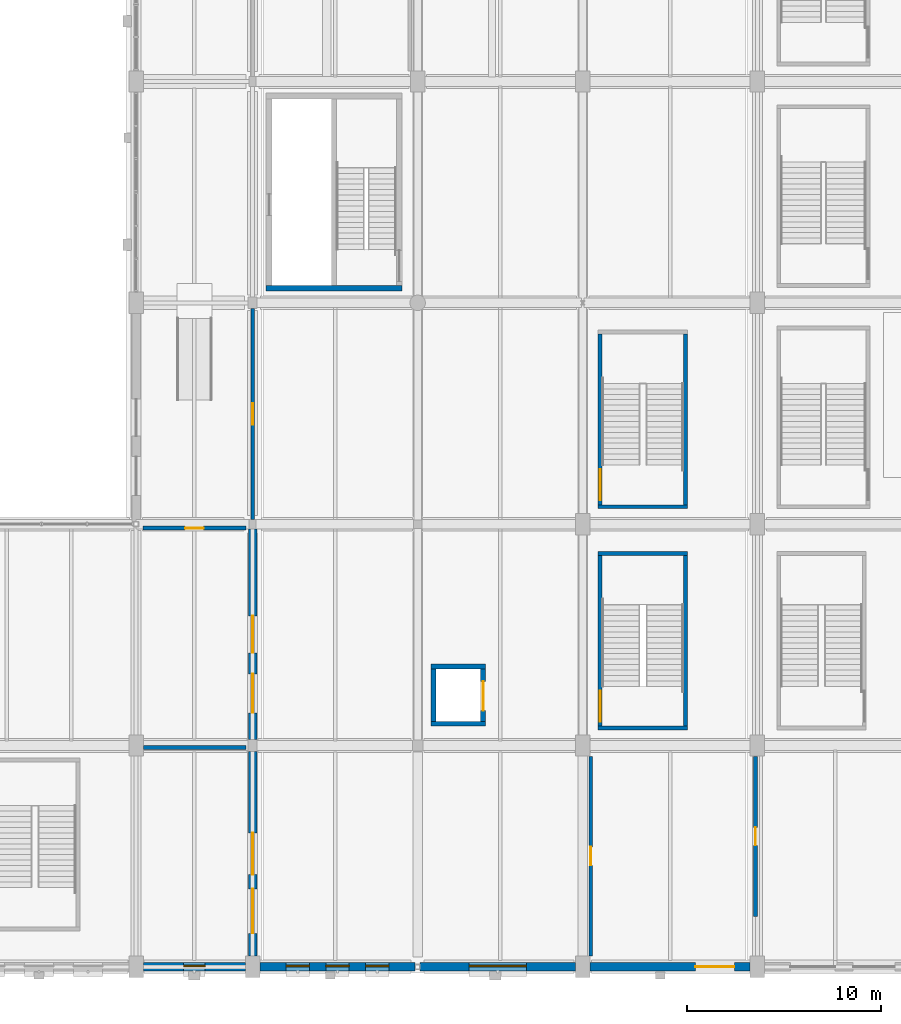
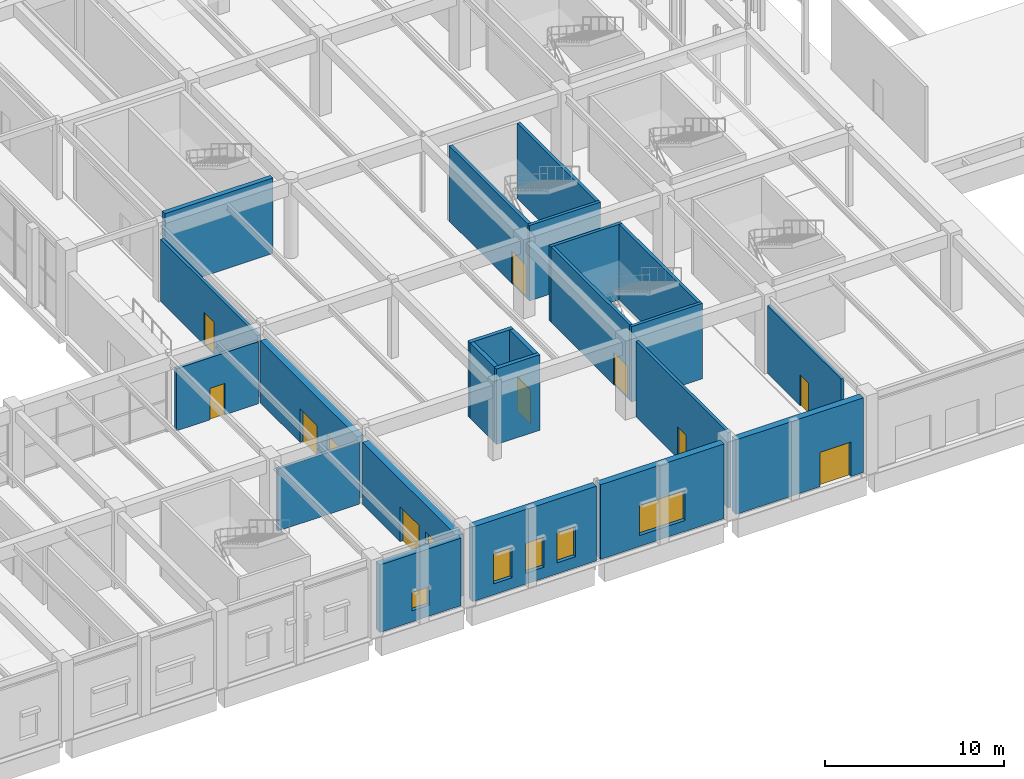
# One storey, part 86 of 113: 23 walls, 12 doors, 5 windows, 17 openings.
"""IFC4 building model written with IfcOpenShell, lengths in metres."""

from ifc_helpers import new_model, si_unit, direction, frame, frame_2d, origin, place, context, subcontext, project, spatial, rectangle, extrude, material, layer, layer_set, type_object, element, fill, save


model = new_model("IFC4")

# Units and contexts
model_context = context("Model", 3, precision=1e-05, world=origin(), true_north=direction((0.0, 1.0)))
body_context = subcontext(model_context, "Body", "Model", "MODEL_VIEW")
ifc_project = project(units=[si_unit("LENGTHUNIT", "METRE"), si_unit("AREAUNIT", "SQUARE_METRE"), si_unit("VOLUMEUNIT", "CUBIC_METRE"), si_unit("PLANEANGLEUNIT", "RADIAN"), si_unit("MASSUNIT", "GRAM", prefix="KILO"), si_unit("POWERUNIT", "WATT"), si_unit("THERMODYNAMICTEMPERATUREUNIT", "KELVIN")], contexts=[model_context])

# Site, building, storey
site_placement = place(None, origin())
site = spatial("IfcSite", under=ifc_project, at=site_placement, CompositionType="ELEMENT")
building_placement = place(site_placement, origin())
building = spatial("IfcBuilding", under=site, at=building_placement, Name="Kelmbourne Parkland Aquatics Centre", CompositionType="ELEMENT")
storey_placement = place(building_placement, origin())
storey = spatial("IfcBuildingStorey", under=building, at=storey_placement, Name="L00", CompositionType="ELEMENT", Elevation=0.0)

# Walls
ifc_material_1 = material(Name="Concrete C40/50", Category="concrete")
ifc_layer_1 = layer(ifc_material_1, 0.25)
ifc_layer_set_1 = layer_set([ifc_layer_1], Name="Concrete C40/50")
wall_type_1 = type_object("IfcWallType", Name="W-CORE-250", PredefinedType="SHEAR", material=ifc_layer_set_1)
for number, where, z_axis, x_axis, name in (
    (1, (111.199951171875, 13.324951171875, 0.0), (0.0, 0.0, 1.0), (1.0, 0.0, 0.0), "Goods lift south wall (L00)"),
    (2, (111.199951171875, 16.27490234375, 0.0), (0.0, 0.0, 1.0), (1.0, 0.0, 0.0), "Goods lift north wall (L00)"),
):
    element("IfcWall", number, at=place(storey_placement, frame(where, z_axis=z_axis, x_axis=x_axis)), inside=storey, type_object=wall_type_1, Name=name, PredefinedType="SHEAR", context=body_context, shape_type="SweptSolid", body=[
        extrude(rectangle(XDim=2.800048828125, YDim=0.25, at=frame_2d((1.39990234375, 0.0))), origin(), (0.0, 0.0, 1.0), 5.159912109375),
    ])
wall_1_placement = place(storey_placement, frame((111.324951171875, 13.449951171875, 0.0), z_axis=(0.0, 0.0, 1.0), x_axis=(0.0, 1.0, 0.0)))
element("IfcWall", 3, at=wall_1_placement, inside=storey, type_object=wall_type_1, Name="Goods lift west wall (L00)", PredefinedType="SHEAR", context=body_context, shape_type="SweptSolid", body=[
    extrude(rectangle(XDim=2.699951171875, YDim=0.25, at=frame_2d((1.35009765625, 0.0))), origin(), (0.0, 0.0, 1.0), 5.159912109375),
])

# Wall, opening, door
wall_2_placement = place(storey_placement, frame((113.875, 13.449951171875, 0.0), z_axis=(0.0, 0.0, 1.0), x_axis=(0.0, 1.0, 0.0)))
wall_2 = element("IfcWall", 4, at=wall_2_placement, inside=storey, type_object=wall_type_1, Name="Goods lift east wall (L00)", PredefinedType="SHEAR", context=body_context, shape_type="SweptSolid", body=[
    extrude(rectangle(XDim=2.699951171875, YDim=0.25, at=frame_2d((1.35009765625, 0.0))), origin(), (0.0, 0.0, 1.0), 5.159912109375),
])
opening_1_placement = place(wall_2_placement, frame((0.550048828125, 0.0, 0.0)))
opening_1 = element("IfcOpeningElement", 5, at=opening_1_placement, cuts=wall_2, Name="Opening LD03", PredefinedType="OPENING", context=body_context, shape_type="SweptSolid", body=[
    extrude(rectangle(XDim=1.5, YDim=2.300048828125, at=frame_2d((0.75, 1.14990234375))), frame((0.0, 0.136962890625, 0.0), z_axis=(0.0, -1.0, 0.0), x_axis=(1.0, 0.0, 0.0)), (0.0, 0.0, 1.0), 0.27392578125),
])
ifc_material_2 = material(Name="Marine-grade stainless steel and fire-rated hardwood doorset", Category="steel")
ifc_layer_2 = layer(ifc_material_2, 0.050048828125)
ifc_layer_set_2 = layer_set([ifc_layer_2], Name="Marine-grade stainless steel and fire-rated hardwood doorset")
door_type_1 = type_object("IfcDoorType", Name="DR-LD-150", OperationType="NOTDEFINED", PredefinedType="DOOR", material=ifc_layer_set_2)
door_1_placement = place(opening_1_placement, origin())
door_1 = element("IfcDoor", 6, at=door_1_placement, inside=storey, type_object=door_type_1, Name="Goods lift landing door LF06 (L00)", OperationType="SLIDING_TO_LEFT", OverallHeight=2.300048828125, OverallWidth=1.5, PredefinedType="DOOR", context=body_context, shape_type="SweptSolid", body=[
    extrude(rectangle(XDim=1.5, YDim=2.300048828125, at=frame_2d((0.75, 1.14990234375))), frame((0.0, 0.02490234375, 0.0), z_axis=(0.0, -1.0, 0.0), x_axis=(1.0, 0.0, 0.0)), (0.0, 0.0, 1.0), 0.050048828125),
])
fill(opening_1, door_1)

# Wall
ifc_layer_3 = layer(ifc_material_1, 0.300048828125)
ifc_layer_set_3 = layer_set([ifc_layer_3], Name="Concrete C40/50")
wall_type_2 = type_object("IfcWallType", Name="W-CORE-300", PredefinedType="SHEAR", material=ifc_layer_set_3)
wall_3_placement = place(storey_placement, frame((102.699951171875, 35.75, 0.0), z_axis=(0.0, 0.0, 1.0), x_axis=(1.0, 0.0, 0.0)))
element("IfcWall", 7, at=wall_3_placement, inside=storey, type_object=wall_type_2, Name="East Spine Club and Village Core south wall (L00)", PredefinedType="SHEAR", context=body_context, shape_type="SweptSolid", body=[
    extrude(rectangle(XDim=7.0, YDim=0.300048828125, at=frame_2d((3.5, 0.0))), origin(), (0.0, 0.0, 1.0), 5.159912109375),
])

# Wall, opening, window
ifc_material_3 = material(Name="Dark manganite base-course brickwork", Category="masonry")
ifc_layer_4 = layer(ifc_material_3, 0.429931640625)
ifc_layer_set_4 = layer_set([ifc_layer_4], Name="Dark manganite base-course brickwork")
wall_type_3 = type_object("IfcWallType", Name="W-EXT-430", PredefinedType="STANDARD", material=ifc_layer_set_4)
wall_4_placement = place(storey_placement, frame((96.376953125, 0.800048828125, 0.0), z_axis=(0.0, 0.0, 1.0), x_axis=(1.0, 0.0, 0.0)))
wall_4 = element("IfcWall", 8, at=wall_4_placement, inside=storey, type_object=wall_type_3, Name="Exterior polychrome brick wall EW-L00-029", PredefinedType="STANDARD", context=body_context, shape_type="SweptSolid", body=[
    extrude(rectangle(XDim=5.24609375, YDim=0.429931640625, at=frame_2d((2.623046875, 0.0))), origin(), (0.0, 0.0, 1.0), 4.612060546875),
])
opening_2_placement = place(wall_4_placement, frame((2.072998046875, 0.0, 0.75)))
opening_2 = element("IfcOpeningElement", 9, at=opening_2_placement, cuts=wall_4, Name="Opening W13", PredefinedType="OPENING", context=body_context, shape_type="SweptSolid", body=[
    extrude(rectangle(XDim=1.10009765625, YDim=1.25, at=frame_2d((0.550048828125, 0.625))), frame((0.0, 0.22705078125, 0.0), z_axis=(0.0, -1.0, 0.0), x_axis=(1.0, 0.0, 0.0)), (0.0, 0.0, 1.0), 0.453857421875),
])
ifc_material_4 = material(Name="Thermally broken anodised aluminium window with low-e glass", Category="aluminium")
ifc_layer_5 = layer(ifc_material_4, 0.090087890625)
ifc_layer_set_5 = layer_set([ifc_layer_5], Name="Thermally broken anodised aluminium window with low-e glass")
window_type_1 = type_object("IfcWindowType", Name="WN-13", PartitioningType="SINGLE_PANEL", PredefinedType="WINDOW", material=ifc_layer_set_5)
window_1_placement = place(opening_2_placement, origin())
window_1 = element("IfcWindow", 10, at=window_1_placement, inside=storey, type_object=window_type_1, Name="Deep-reveal masonry window W13", OverallHeight=1.25, OverallWidth=1.10009765625, PartitioningType="SINGLE_PANEL", PredefinedType="WINDOW", context=body_context, shape_type="SweptSolid", body=[
    extrude(rectangle(XDim=1.10009765625, YDim=1.25, at=frame_2d((0.550048828125, 0.625))), frame((0.0, 0.080078125, 0.0), z_axis=(0.0, -1.0, 0.0), x_axis=(1.0, 0.0, 0.0)), (0.0, 0.0, 1.0), 0.06005859375),
])
fill(opening_2, window_1)

# Wall, openings, windows
wall_5_placement = place(storey_placement, frame((102.376953125, 0.800048828125, 0.0), z_axis=(0.0, 0.0, 1.0), x_axis=(1.0, 0.0, 0.0)))
wall_5 = element("IfcWall", 11, at=wall_5_placement, inside=storey, type_object=wall_type_3, Name="Exterior polychrome brick wall EW-L00-034", PredefinedType="STANDARD", context=body_context, shape_type="SweptSolid", body=[
    extrude(rectangle(XDim=7.99609375, YDim=0.429931640625, at=frame_2d((3.998046875, 0.0))), origin(), (0.0, 0.0, 1.0), 5.10009765625),
])
opening_3_placement = place(wall_5_placement, frame((1.35009765625, 0.0, 0.75)))
opening_3 = element("IfcOpeningElement", 12, at=opening_3_placement, cuts=wall_5, Name="Opening W08", PredefinedType="OPENING", context=body_context, shape_type="SweptSolid", body=[
    extrude(rectangle(XDim=1.199951171875, YDim=2.050048828125, at=frame_2d((0.60009765625, 1.02490234375))), frame((0.0, 0.22705078125, 0.0), z_axis=(0.0, -1.0, 0.0), x_axis=(1.0, 0.0, 0.0)), (0.0, 0.0, 1.0), 0.453857421875),
])
opening_4_placement = place(wall_5_placement, frame((3.39794921875, 0.0, 0.75)))
opening_4 = element("IfcOpeningElement", 13, at=opening_4_placement, cuts=wall_5, Name="Opening W08", PredefinedType="OPENING", context=body_context, shape_type="SweptSolid", body=[
    extrude(rectangle(XDim=1.199951171875, YDim=2.050048828125, at=frame_2d((0.60009765625, 1.02490234375))), frame((0.0, 0.22705078125, 0.0), z_axis=(0.0, -1.0, 0.0), x_axis=(1.0, 0.0, 0.0)), (0.0, 0.0, 1.0), 0.453857421875),
])
opening_5_placement = place(wall_5_placement, frame((5.446044921875, 0.0, 0.75)))
opening_5 = element("IfcOpeningElement", 14, at=opening_5_placement, cuts=wall_5, Name="Opening W08", PredefinedType="OPENING", context=body_context, shape_type="SweptSolid", body=[
    extrude(rectangle(XDim=1.199951171875, YDim=2.050048828125, at=frame_2d((0.60009765625, 1.02490234375))), frame((0.0, 0.22705078125, 0.0), z_axis=(0.0, -1.0, 0.0), x_axis=(1.0, 0.0, 0.0)), (0.0, 0.0, 1.0), 0.453857421875),
])
ifc_layer_6 = layer(ifc_material_4, 0.090087890625)
ifc_layer_set_6 = layer_set([ifc_layer_6], Name="Thermally broken anodised aluminium window with low-e glass")
window_type_2 = type_object("IfcWindowType", Name="WN-08", PartitioningType="SINGLE_PANEL", PredefinedType="WINDOW", material=ifc_layer_set_6)
window_2_placement = place(opening_3_placement, origin())
window_2 = element("IfcWindow", 15, at=window_2_placement, inside=storey, type_object=window_type_2, Name="Deep-reveal masonry window W08", OverallHeight=2.050048828125, OverallWidth=1.199951171875, PartitioningType="SINGLE_PANEL", PredefinedType="WINDOW", context=body_context, shape_type="SweptSolid", body=[
    extrude(rectangle(XDim=1.199951171875, YDim=2.050048828125, at=frame_2d((0.60009765625, 1.02490234375))), frame((0.0, 0.080078125, 0.0), z_axis=(0.0, -1.0, 0.0), x_axis=(1.0, 0.0, 0.0)), (0.0, 0.0, 1.0), 0.06005859375),
])
fill(opening_3, window_2)
window_3_placement = place(opening_4_placement, origin())
window_3 = element("IfcWindow", 16, at=window_3_placement, inside=storey, type_object=window_type_2, Name="Deep-reveal masonry window W08", OverallHeight=2.050048828125, OverallWidth=1.199951171875, PartitioningType="SINGLE_PANEL", PredefinedType="WINDOW", context=body_context, shape_type="SweptSolid", body=[
    extrude(rectangle(XDim=1.199951171875, YDim=2.050048828125, at=frame_2d((0.60009765625, 1.02490234375))), frame((0.0, 0.080078125, 0.0), z_axis=(0.0, -1.0, 0.0), x_axis=(1.0, 0.0, 0.0)), (0.0, 0.0, 1.0), 0.06005859375),
])
fill(opening_4, window_3)
window_4_placement = place(opening_5_placement, origin())
window_4 = element("IfcWindow", 17, at=window_4_placement, inside=storey, type_object=window_type_2, Name="Deep-reveal masonry window W08", OverallHeight=2.050048828125, OverallWidth=1.199951171875, PartitioningType="SINGLE_PANEL", PredefinedType="WINDOW", context=body_context, shape_type="SweptSolid", body=[
    extrude(rectangle(XDim=1.199951171875, YDim=2.050048828125, at=frame_2d((0.60009765625, 1.02490234375))), frame((0.0, 0.080078125, 0.0), z_axis=(0.0, -1.0, 0.0), x_axis=(1.0, 0.0, 0.0)), (0.0, 0.0, 1.0), 0.06005859375),
])
fill(opening_5, window_4)

# Wall, opening, window
wall_6_placement = place(storey_placement, frame((110.626953125, 0.800048828125, 0.0), z_axis=(0.0, 0.0, 1.0), x_axis=(1.0, 0.0, 0.0)))
wall_6 = element("IfcWall", 18, at=wall_6_placement, inside=storey, type_object=wall_type_3, Name="Exterior polychrome brick wall EW-L00-035", PredefinedType="STANDARD", context=body_context, shape_type="SweptSolid", body=[
    extrude(rectangle(XDim=7.99609375, YDim=0.429931640625, at=frame_2d((3.998046875, 0.0))), origin(), (0.0, 0.0, 1.0), 5.10009765625),
])
opening_6_placement = place(wall_6_placement, frame((2.52294921875, 0.0, 0.75)))
opening_6 = element("IfcOpeningElement", 19, at=opening_6_placement, cuts=wall_6, Name="Opening W12", PredefinedType="OPENING", context=body_context, shape_type="SweptSolid", body=[
    extrude(rectangle(XDim=2.949951171875, YDim=2.050048828125, at=frame_2d((1.47509765625, 1.02490234375))), frame((0.0, 0.22705078125, 0.0), z_axis=(0.0, -1.0, 0.0), x_axis=(1.0, 0.0, 0.0)), (0.0, 0.0, 1.0), 0.453857421875),
])
ifc_layer_7 = layer(ifc_material_4, 0.090087890625)
ifc_layer_set_7 = layer_set([ifc_layer_7], Name="Thermally broken anodised aluminium window with low-e glass")
window_type_3 = type_object("IfcWindowType", Name="WN-12", PartitioningType="TRIPLE_PANEL_VERTICAL", PredefinedType="WINDOW", material=ifc_layer_set_7)
window_5_placement = place(opening_6_placement, origin())
window_5 = element("IfcWindow", 20, at=window_5_placement, inside=storey, type_object=window_type_3, Name="Deep-reveal masonry window W12", OverallHeight=2.050048828125, OverallWidth=2.949951171875, PartitioningType="TRIPLE_PANEL_VERTICAL", PredefinedType="WINDOW", context=body_context, shape_type="SweptSolid", body=[
    extrude(rectangle(XDim=2.949951171875, YDim=2.050048828125, at=frame_2d((1.47509765625, 1.02490234375))), frame((0.0, 0.080078125, 0.0), z_axis=(0.0, -1.0, 0.0), x_axis=(1.0, 0.0, 0.0)), (0.0, 0.0, 1.0), 0.06005859375),
])
fill(opening_6, window_5)

# Wall, opening, door
wall_7_placement = place(storey_placement, frame((119.376953125, 0.800048828125, 0.0), z_axis=(0.0, 0.0, 1.0), x_axis=(1.0, 0.0, 0.0)))
wall_7 = element("IfcWall", 21, at=wall_7_placement, inside=storey, type_object=wall_type_3, Name="Exterior polychrome brick wall EW-L00-036", PredefinedType="STANDARD", context=body_context, shape_type="SweptSolid", body=[
    extrude(rectangle(XDim=8.24609375, YDim=0.429931640625, at=frame_2d((4.123046875, 0.0))), origin(), (0.0, 0.0, 1.0), 5.10009765625),
])
opening_7_placement = place(wall_7_placement, frame((5.431884765625, 0.0, 0.0)))
opening_7 = element("IfcOpeningElement", 22, at=opening_7_placement, cuts=wall_7, Name="Opening E15", PredefinedType="OPENING", context=body_context, shape_type="SweptSolid", body=[
    extrude(rectangle(XDim=2.0, YDim=2.35009765625, at=frame_2d((1.0, 1.175048828125))), frame((0.0, 0.22705078125, 0.0), z_axis=(0.0, -1.0, 0.0), x_axis=(1.0, 0.0, 0.0)), (0.0, 0.0, 1.0), 0.453857421875),
])
ifc_material_5 = material(Name="Thermally broken anodised aluminium commercial door", Category="aluminium")
ifc_layer_8 = layer(ifc_material_5, 0.06005859375)
ifc_layer_set_8 = layer_set([ifc_layer_8], Name="Thermally broken anodised aluminium commercial door")
door_type_2 = type_object("IfcDoorType", Name="DR-EXT-200", OperationType="NOTDEFINED", PredefinedType="DOOR", material=ifc_layer_set_8)
door_2_placement = place(opening_7_placement, frame((2.0, 0.0, 0.0), z_axis=(0.0, 0.0, 1.0), x_axis=(-1.0, 0.0, 0.0)))
door_2 = element("IfcDoor", 23, at=door_2_placement, inside=storey, type_object=door_type_2, Name="Final exit double door E15", OperationType="DOUBLE_DOOR_SINGLE_SWING", OverallHeight=2.35009765625, OverallWidth=2.0, PredefinedType="DOOR", context=body_context, shape_type="SweptSolid", body=[
    extrude(rectangle(XDim=2.0, YDim=2.35009765625, at=frame_2d((1.0, 1.175048828125))), frame((0.0, 0.02490234375, 0.0), z_axis=(0.0, -1.0, 0.0), x_axis=(1.0, 0.0, 0.0)), (0.0, 0.0, 1.0), 0.050048828125),
])
fill(opening_7, door_2)

# Wall, openings, doors
wall_8_placement = place(storey_placement, frame((102.0, 1.35205078125, 0.0), z_axis=(0.0, 0.0, 1.0), x_axis=(0.0, 1.0, 0.0)))
wall_8 = element("IfcWall", 24, at=wall_8_placement, inside=storey, type_object=wall_type_3, Name="Exterior polychrome brick wall EW-L00-040", PredefinedType="STANDARD", context=body_context, shape_type="SweptSolid", body=[
    extrude(rectangle(XDim=10.5458984375, YDim=0.429931640625, at=frame_2d((5.27294921875, 0.0))), origin(), (0.0, 0.0, 1.0), 4.2451171875),
])
opening_8_placement = place(wall_8_placement, frame((1.170166015625, 0.0, 0.0)))
opening_8 = element("IfcOpeningElement", 25, at=opening_8_placement, cuts=wall_8, Name="Opening E17", PredefinedType="OPENING", context=body_context, shape_type="SweptSolid", body=[
    extrude(rectangle(XDim=2.300048828125, YDim=2.39990234375, at=frame_2d((1.14990234375, 1.199951171875))), frame((0.0, 0.22705078125, 0.0), z_axis=(0.0, -1.0, 0.0), x_axis=(1.0, 0.0, 0.0)), (0.0, 0.0, 1.0), 0.453857421875),
])
opening_9_placement = place(wall_8_placement, frame((4.197998046875, 0.0, 0.0)))
opening_9 = element("IfcOpeningElement", 26, at=opening_9_placement, cuts=wall_8, Name="Opening E18", PredefinedType="OPENING", context=body_context, shape_type="SweptSolid", body=[
    extrude(rectangle(XDim=2.14990234375, YDim=2.39990234375, at=frame_2d((1.074951171875, 1.199951171875))), frame((0.0, 0.22705078125, 0.0), z_axis=(0.0, -1.0, 0.0), x_axis=(1.0, 0.0, 0.0)), (0.0, 0.0, 1.0), 0.453857421875),
])
ifc_layer_9 = layer(ifc_material_5, 0.06005859375)
ifc_layer_set_9 = layer_set([ifc_layer_9], Name="Thermally broken anodised aluminium commercial door")
door_type_3 = type_object("IfcDoorType", Name="DR-EXT-215", OperationType="NOTDEFINED", PredefinedType="DOOR", material=ifc_layer_set_9)
door_3_placement = place(opening_9_placement, origin())
door_3 = element("IfcDoor", 27, at=door_3_placement, inside=storey, type_object=door_type_3, Name="Final exit double door E18", OperationType="DOUBLE_DOOR_SINGLE_SWING", OverallHeight=2.39990234375, OverallWidth=2.14990234375, PredefinedType="DOOR", context=body_context, shape_type="SweptSolid", body=[
    extrude(rectangle(XDim=2.14990234375, YDim=2.39990234375, at=frame_2d((1.074951171875, 1.199951171875))), frame((0.0, 0.02490234375, 0.0), z_axis=(0.0, -1.0, 0.0), x_axis=(1.0, 0.0, 0.0)), (0.0, 0.0, 1.0), 0.050048828125),
])
fill(opening_9, door_3)
ifc_layer_10 = layer(ifc_material_5, 0.06005859375)
ifc_layer_set_10 = layer_set([ifc_layer_10], Name="Thermally broken anodised aluminium commercial door")
door_type_4 = type_object("IfcDoorType", Name="DR-EXT-230", OperationType="NOTDEFINED", PredefinedType="DOOR", material=ifc_layer_set_10)
door_4_placement = place(opening_8_placement, origin())
door_4 = element("IfcDoor", 28, at=door_4_placement, inside=storey, type_object=door_type_4, Name="Final exit double door E17", OperationType="DOUBLE_DOOR_SINGLE_SWING", OverallHeight=2.39990234375, OverallWidth=2.300048828125, PredefinedType="DOOR", context=body_context, shape_type="SweptSolid", body=[
    extrude(rectangle(XDim=2.300048828125, YDim=2.39990234375, at=frame_2d((1.14990234375, 1.199951171875))), frame((0.0, 0.02490234375, 0.0), z_axis=(0.0, -1.0, 0.0), x_axis=(1.0, 0.0, 0.0)), (0.0, 0.0, 1.0), 0.050048828125),
])
fill(opening_8, door_4)

wall_9_placement = place(storey_placement, frame((102.0, 12.501953125, 0.0), z_axis=(0.0, 0.0, 1.0), x_axis=(0.0, 1.0, 0.0)))
wall_9 = element("IfcWall", 29, at=wall_9_placement, inside=storey, type_object=wall_type_3, Name="Exterior polychrome brick wall EW-L00-041", PredefinedType="STANDARD", context=body_context, shape_type="SweptSolid", body=[
    extrude(rectangle(XDim=10.845947265625, YDim=0.429931640625, at=frame_2d((5.4228515625, 0.0))), origin(), (0.0, 0.0, 1.0), 4.2451171875),
])
opening_10_placement = place(wall_9_placement, frame((1.385986328125, 0.0, 0.0)))
opening_10 = element("IfcOpeningElement", 30, at=opening_10_placement, cuts=wall_9, Name="Opening E19", PredefinedType="OPENING", context=body_context, shape_type="SweptSolid", body=[
    extrude(rectangle(XDim=2.0, YDim=2.35009765625, at=frame_2d((1.0, 1.175048828125))), frame((0.0, 0.22705078125, 0.0), z_axis=(0.0, -1.0, 0.0), x_axis=(1.0, 0.0, 0.0)), (0.0, 0.0, 1.0), 0.453857421875),
])
opening_11_placement = place(wall_9_placement, frame((4.472900390625, 0.0, 0.0)))
opening_11 = element("IfcOpeningElement", 31, at=opening_11_placement, cuts=wall_9, Name="Opening E20", PredefinedType="OPENING", context=body_context, shape_type="SweptSolid", body=[
    extrude(rectangle(XDim=1.89990234375, YDim=2.300048828125, at=frame_2d((0.949951171875, 1.14990234375))), frame((0.0, 0.22705078125, 0.0), z_axis=(0.0, -1.0, 0.0), x_axis=(1.0, 0.0, 0.0)), (0.0, 0.0, 1.0), 0.453857421875),
])
ifc_layer_11 = layer(ifc_material_5, 0.06005859375)
ifc_layer_set_11 = layer_set([ifc_layer_11], Name="Thermally broken anodised aluminium commercial door")
door_type_5 = type_object("IfcDoorType", Name="DR-EXT-190", OperationType="NOTDEFINED", PredefinedType="DOOR", material=ifc_layer_set_11)
door_5_placement = place(opening_11_placement, origin())
door_5 = element("IfcDoor", 32, at=door_5_placement, inside=storey, type_object=door_type_5, Name="Final exit double door E20", OperationType="DOUBLE_DOOR_SINGLE_SWING", OverallHeight=2.300048828125, OverallWidth=1.89990234375, PredefinedType="DOOR", context=body_context, shape_type="SweptSolid", body=[
    extrude(rectangle(XDim=1.89990234375, YDim=2.300048828125, at=frame_2d((0.949951171875, 1.14990234375))), frame((0.0, 0.02490234375, 0.0), z_axis=(0.0, -1.0, 0.0), x_axis=(1.0, 0.0, 0.0)), (0.0, 0.0, 1.0), 0.050048828125),
])
fill(opening_11, door_5)
door_6_placement = place(opening_10_placement, origin())
door_6 = element("IfcDoor", 33, at=door_6_placement, inside=storey, type_object=door_type_2, Name="Final exit double door E19", OperationType="DOUBLE_DOOR_SINGLE_SWING", OverallHeight=2.35009765625, OverallWidth=2.0, PredefinedType="DOOR", context=body_context, shape_type="SweptSolid", body=[
    extrude(rectangle(XDim=2.0, YDim=2.35009765625, at=frame_2d((1.0, 1.175048828125))), frame((0.0, 0.02490234375, 0.0), z_axis=(0.0, -1.0, 0.0), x_axis=(1.0, 0.0, 0.0)), (0.0, 0.0, 1.0), 0.050048828125),
])
fill(opening_10, door_6)

# Walls
ifc_material_6 = material(Name="Concrete blockwork C32/40", Category="masonry")
ifc_layer_12 = layer(ifc_material_6, 0.199951171875)
ifc_layer_set_12 = layer_set([ifc_layer_12], Name="Concrete blockwork C32/40")
wall_type_4 = type_object("IfcWallType", Name="W-FIRE-200", PredefinedType="SOLIDWALL", material=ifc_layer_set_12)
for number, where, z_axis, x_axis, name in (
    (34, (119.800048828125, 13.10009765625, 0.0), (0.0, 0.0, 1.0), (1.0, 0.0, 0.0), "South East Concourse Exit Stair south enclosure (L00)"),
    (35, (119.800048828125, 22.10009765625, 0.0), (0.0, 0.0, 1.0), (1.0, 0.0, 0.0), "South East Concourse Exit Stair north enclosure (L00)"),
):
    element("IfcWall", number, at=place(storey_placement, frame(where, z_axis=z_axis, x_axis=x_axis)), inside=storey, type_object=wall_type_4, Name=name, PredefinedType="SOLIDWALL", context=body_context, shape_type="SweptSolid", body=[
        extrude(rectangle(XDim=4.599853515625, YDim=0.199951171875, at=frame_2d((2.2998046875, 0.0))), origin(), (0.0, 0.0, 1.0), 5.159912109375),
    ])

# Wall, opening, door
wall_10_placement = place(storey_placement, frame((119.89990234375, 13.199951171875, 0.0), z_axis=(0.0, 0.0, 1.0), x_axis=(0.0, 1.0, 0.0)))
wall_10 = element("IfcWall", 36, at=wall_10_placement, inside=storey, type_object=wall_type_4, Name="South East Concourse Exit Stair west enclosure (L00)", PredefinedType="SOLIDWALL", context=body_context, shape_type="SweptSolid", body=[
    extrude(rectangle(XDim=8.800048828125, YDim=0.199951171875, at=frame_2d((4.39990234375, 0.0))), origin(), (0.0, 0.0, 1.0), 5.159912109375),
])
opening_12_placement = place(wall_10_placement, frame((0.219970703125, 0.0, 0.0)))
opening_12 = element("IfcOpeningElement", 37, at=opening_12_placement, cuts=wall_10, Name="Opening FD02", PredefinedType="OPENING", context=body_context, shape_type="SweptSolid", body=[
    extrude(rectangle(XDim=1.60009765625, YDim=2.199951171875, at=frame_2d((0.800048828125, 1.10009765625))), frame((0.0, 0.11181640625, 0.0), z_axis=(0.0, -1.0, 0.0), x_axis=(1.0, 0.0, 0.0)), (0.0, 0.0, 1.0), 0.223876953125),
])
ifc_layer_13 = layer(ifc_material_2, 0.050048828125)
ifc_layer_set_13 = layer_set([ifc_layer_13], Name="Marine-grade stainless steel and fire-rated hardwood doorset")
door_type_6 = type_object("IfcDoorType", Name="DR-FD-160", OperationType="NOTDEFINED", PredefinedType="DOOR", material=ifc_layer_set_13)
door_7_placement = place(opening_12_placement, origin())
door_7 = element("IfcDoor", 38, at=door_7_placement, inside=storey, type_object=door_type_6, Name="Exit stair fire door ST09 (L00)", OperationType="DOUBLE_DOOR_SINGLE_SWING", OverallHeight=2.199951171875, OverallWidth=1.60009765625, PredefinedType="DOOR", context=body_context, shape_type="SweptSolid", body=[
    extrude(rectangle(XDim=1.60009765625, YDim=2.199951171875, at=frame_2d((0.800048828125, 1.10009765625))), frame((0.0, 0.02490234375, 0.0), z_axis=(0.0, -1.0, 0.0), x_axis=(1.0, 0.0, 0.0)), (0.0, 0.0, 1.0), 0.050048828125),
])
fill(opening_12, door_7)

# Walls
wall_11_placement = place(storey_placement, frame((124.300048828125, 13.199951171875, 0.0), z_axis=(0.0, 0.0, 1.0), x_axis=(0.0, 1.0, 0.0)))
element("IfcWall", 39, at=wall_11_placement, inside=storey, type_object=wall_type_4, Name="South East Concourse Exit Stair east enclosure (L00)", PredefinedType="SOLIDWALL", context=body_context, shape_type="SweptSolid", body=[
    extrude(rectangle(XDim=8.800048828125, YDim=0.199951171875, at=frame_2d((4.39990234375, 0.0))), origin(), (0.0, 0.0, 1.0), 5.159912109375),
])
wall_12_placement = place(storey_placement, frame((119.800048828125, 24.5, 0.0), z_axis=(0.0, 0.0, 1.0), x_axis=(1.0, 0.0, 0.0)))
element("IfcWall", 40, at=wall_12_placement, inside=storey, type_object=wall_type_4, Name="East Club Terrace Exit Stair south enclosure (L00)", PredefinedType="SOLIDWALL", context=body_context, shape_type="SweptSolid", body=[
    extrude(rectangle(XDim=4.599853515625, YDim=0.199951171875, at=frame_2d((2.2998046875, 0.0))), origin(), (0.0, 0.0, 1.0), 5.159912109375),
])

# Wall, opening, door
wall_13_placement = place(storey_placement, frame((119.89990234375, 24.60009765625, 0.0), z_axis=(0.0, 0.0, 1.0), x_axis=(0.0, 1.0, 0.0)))
wall_13 = element("IfcWall", 41, at=wall_13_placement, inside=storey, type_object=wall_type_4, Name="East Club Terrace Exit Stair west enclosure (L00)", PredefinedType="SOLIDWALL", context=body_context, shape_type="SweptSolid", body=[
    extrude(rectangle(XDim=8.7998046875, YDim=0.199951171875, at=frame_2d((4.39990234375, 0.0))), origin(), (0.0, 0.0, 1.0), 5.159912109375),
])
opening_13_placement = place(wall_13_placement, frame((0.219970703125, 0.0, 0.0)))
opening_13 = element("IfcOpeningElement", 42, at=opening_13_placement, cuts=wall_13, Name="Opening FD02", PredefinedType="OPENING", context=body_context, shape_type="SweptSolid", body=[
    extrude(rectangle(XDim=1.60009765625, YDim=2.199951171875, at=frame_2d((0.800048828125, 1.10009765625))), frame((0.0, 0.11181640625, 0.0), z_axis=(0.0, -1.0, 0.0), x_axis=(1.0, 0.0, 0.0)), (0.0, 0.0, 1.0), 0.223876953125),
])
door_8_placement = place(opening_13_placement, origin())
door_8 = element("IfcDoor", 43, at=door_8_placement, inside=storey, type_object=door_type_6, Name="Exit stair fire door ST14 (L00)", OperationType="DOUBLE_DOOR_SINGLE_SWING", OverallHeight=2.199951171875, OverallWidth=1.60009765625, PredefinedType="DOOR", context=body_context, shape_type="SweptSolid", body=[
    extrude(rectangle(XDim=1.60009765625, YDim=2.199951171875, at=frame_2d((0.800048828125, 1.10009765625))), frame((0.0, 0.02490234375, 0.0), z_axis=(0.0, -1.0, 0.0), x_axis=(1.0, 0.0, 0.0)), (0.0, 0.0, 1.0), 0.050048828125),
])
fill(opening_13, door_8)

# Walls
wall_14_placement = place(storey_placement, frame((124.300048828125, 24.60009765625, 0.0), z_axis=(0.0, 0.0, 1.0), x_axis=(0.0, 1.0, 0.0)))
element("IfcWall", 44, at=wall_14_placement, inside=storey, type_object=wall_type_4, Name="East Club Terrace Exit Stair east enclosure (L00)", PredefinedType="SOLIDWALL", context=body_context, shape_type="SweptSolid", body=[
    extrude(rectangle(XDim=8.7998046875, YDim=0.199951171875, at=frame_2d((4.39990234375, 0.0))), origin(), (0.0, 0.0, 1.0), 5.159912109375),
])
ifc_layer_14 = layer(ifc_material_6, 0.18994140625)
ifc_layer_set_14 = layer_set([ifc_layer_14], Name="Concrete blockwork C32/40")
wall_type_5 = type_object("IfcWallType", Name="W-SOLID-190", PredefinedType="SOLIDWALL", material=ifc_layer_set_14)
wall_15_placement = place(storey_placement, frame((96.376953125, 12.10009765625, 0.0), z_axis=(0.0, 0.0, 1.0), x_axis=(1.0, 0.0, 0.0)))
element("IfcWall", 45, at=wall_15_placement, inside=storey, type_object=wall_type_5, Name="Interior partition PT-L00-030", PredefinedType="SOLIDWALL", context=body_context, shape_type="SweptSolid", body=[
    extrude(rectangle(XDim=5.27294921875, YDim=0.18994140625, at=frame_2d((2.636474609375, 0.0))), origin(), (0.0, 0.0, 1.0), 4.2451171875),
])

# Wall, opening, door
wall_16_placement = place(storey_placement, frame((96.35009765625, 23.39990234375, 0.0), z_axis=(0.0, 0.0, 1.0), x_axis=(1.0, 0.0, 0.0)))
wall_16 = element("IfcWall", 46, at=wall_16_placement, inside=storey, type_object=wall_type_5, Name="Interior partition PT-L00-031", PredefinedType="SOLIDWALL", context=body_context, shape_type="SweptSolid", body=[
    extrude(rectangle(XDim=5.2998046875, YDim=0.18994140625, at=frame_2d((2.64990234375, 0.0))), origin(), (0.0, 0.0, 1.0), 4.2451171875),
])
opening_14_placement = place(wall_16_placement, frame((2.175048828125, 0.0, 0.0)))
opening_14 = element("IfcOpeningElement", 47, at=opening_14_placement, cuts=wall_16, Name="Opening ID05", PredefinedType="OPENING", context=body_context, shape_type="SweptSolid", body=[
    extrude(rectangle(XDim=0.949951171875, YDim=2.14990234375, at=frame_2d((0.47509765625, 1.074951171875))), frame((0.0, 0.10693359375, 0.0), z_axis=(0.0, -1.0, 0.0), x_axis=(1.0, 0.0, 0.0)), (0.0, 0.0, 1.0), 0.2138671875),
])
ifc_material_7 = material(Name="Marine-grade stainless steel and solid-core hardwood doorset", Category="timber")
ifc_layer_15 = layer(ifc_material_7, 0.050048828125)
ifc_layer_set_15 = layer_set([ifc_layer_15], Name="Marine-grade stainless steel and solid-core hardwood doorset")
door_type_7 = type_object("IfcDoorType", Name="DR-INT-095", OperationType="NOTDEFINED", PredefinedType="DOOR", material=ifc_layer_set_15)
door_9_placement = place(opening_14_placement, origin())
door_9 = element("IfcDoor", 48, at=door_9_placement, inside=storey, type_object=door_type_7, Name="Interior door ID05 (L00-018)", OperationType="SINGLE_SWING_LEFT", OverallHeight=2.14990234375, OverallWidth=0.949951171875, PredefinedType="DOOR", context=body_context, shape_type="SweptSolid", body=[
    extrude(rectangle(XDim=0.949951171875, YDim=2.14990234375, at=frame_2d((0.47509765625, 1.074951171875))), frame((0.0, 0.02490234375, 0.0), z_axis=(0.0, -1.0, 0.0), x_axis=(1.0, 0.0, 0.0)), (0.0, 0.0, 1.0), 0.050048828125),
])
fill(opening_14, door_9)

wall_17_placement = place(storey_placement, frame((102.0, 23.85205078125, 0.0), z_axis=(0.0, 0.0, 1.0), x_axis=(0.0, 1.0, 0.0)))
wall_17 = element("IfcWall", 49, at=wall_17_placement, inside=storey, type_object=wall_type_5, Name="Interior partition PT-L00-040", PredefinedType="SOLIDWALL", context=body_context, shape_type="SweptSolid", body=[
    extrude(rectangle(XDim=10.845947265625, YDim=0.18994140625, at=frame_2d((5.4228515625, 0.0))), origin(), (0.0, 0.0, 1.0), 4.2451171875),
])
opening_15_placement = place(wall_17_placement, frame((4.873046875, 0.0, 0.0)))
opening_15 = element("IfcOpeningElement", 50, at=opening_15_placement, cuts=wall_17, Name="Opening FD03", PredefinedType="OPENING", context=body_context, shape_type="SweptSolid", body=[
    extrude(rectangle(XDim=1.10009765625, YDim=2.199951171875, at=frame_2d((0.550048828125, 1.10009765625))), frame((0.0, 0.10693359375, 0.0), z_axis=(0.0, -1.0, 0.0), x_axis=(1.0, 0.0, 0.0)), (0.0, 0.0, 1.0), 0.2138671875),
])
ifc_layer_16 = layer(ifc_material_2, 0.050048828125)
ifc_layer_set_16 = layer_set([ifc_layer_16], Name="Marine-grade stainless steel and fire-rated hardwood doorset")
door_type_8 = type_object("IfcDoorType", Name="DR-FD-110", OperationType="NOTDEFINED", PredefinedType="DOOR", material=ifc_layer_set_16)
door_10_placement = place(opening_15_placement, origin())
door_10 = element("IfcDoor", 51, at=door_10_placement, inside=storey, type_object=door_type_8, Name="Interior door FD03 (L00-023)", OperationType="SINGLE_SWING_LEFT", OverallHeight=2.199951171875, OverallWidth=1.10009765625, PredefinedType="DOOR", context=body_context, shape_type="SweptSolid", body=[
    extrude(rectangle(XDim=1.10009765625, YDim=2.199951171875, at=frame_2d((0.550048828125, 1.10009765625))), frame((0.0, 0.02490234375, 0.0), z_axis=(0.0, -1.0, 0.0), x_axis=(1.0, 0.0, 0.0)), (0.0, 0.0, 1.0), 0.050048828125),
])
fill(opening_15, door_10)

wall_18_placement = place(storey_placement, frame((119.409912109375, 1.35205078125, 0.0), z_axis=(0.0, 0.0, 1.0), x_axis=(0.0, 1.0, 0.0)))
wall_18 = element("IfcWall", 52, at=wall_18_placement, inside=storey, type_object=wall_type_5, Name="Interior partition PT-L00-052", PredefinedType="SOLIDWALL", context=body_context, shape_type="SweptSolid", body=[
    extrude(rectangle(XDim=10.2958984375, YDim=0.18994140625, at=frame_2d((5.14794921875, 0.0))), origin(), (0.0, 0.0, 1.0), 5.159912109375),
])
opening_16_placement = place(wall_18_placement, frame((4.673095703125, 0.0, 0.0)))
opening_16 = element("IfcOpeningElement", 53, at=opening_16_placement, cuts=wall_18, Name="Opening ID05", PredefinedType="OPENING", context=body_context, shape_type="SweptSolid", body=[
    extrude(rectangle(XDim=0.949951171875, YDim=2.14990234375, at=frame_2d((0.47509765625, 1.074951171875))), frame((0.0, 0.10693359375, 0.0), z_axis=(0.0, -1.0, 0.0), x_axis=(1.0, 0.0, 0.0)), (0.0, 0.0, 1.0), 0.2138671875),
])
door_11_placement = place(opening_16_placement, origin())
door_11 = element("IfcDoor", 54, at=door_11_placement, inside=storey, type_object=door_type_7, Name="Interior door ID05 (L00-029)", OperationType="SINGLE_SWING_LEFT", OverallHeight=2.14990234375, OverallWidth=0.949951171875, PredefinedType="DOOR", context=body_context, shape_type="SweptSolid", body=[
    extrude(rectangle(XDim=0.949951171875, YDim=2.14990234375, at=frame_2d((0.47509765625, 1.074951171875))), frame((0.0, 0.02490234375, 0.0), z_axis=(0.0, -1.0, 0.0), x_axis=(1.0, 0.0, 0.0)), (0.0, 0.0, 1.0), 0.050048828125),
])
fill(opening_16, door_11)

wall_19_placement = place(storey_placement, frame((127.89990234375, 3.39990234375, 0.0), z_axis=(0.0, 0.0, 1.0), x_axis=(0.0, 1.0, 0.0)))
wall_19 = element("IfcWall", 55, at=wall_19_placement, inside=storey, type_object=wall_type_5, Name="Interior partition PT-L00-053", PredefinedType="SOLIDWALL", context=body_context, shape_type="SweptSolid", body=[
    extrude(rectangle(XDim=8.248046875, YDim=0.18994140625, at=frame_2d((4.1240234375, 0.0))), origin(), (0.0, 0.0, 1.0), 4.612060546875),
])
opening_17_placement = place(wall_19_placement, frame((3.6640625, 0.0, 0.0)))
opening_17 = element("IfcOpeningElement", 56, at=opening_17_placement, cuts=wall_19, Name="Opening ID06", PredefinedType="OPENING", context=body_context, shape_type="SweptSolid", body=[
    extrude(rectangle(XDim=0.919921875, YDim=2.10009765625, at=frame_2d((0.4599609375, 1.050048828125))), frame((0.0, 0.10693359375, 0.0), z_axis=(0.0, -1.0, 0.0), x_axis=(1.0, 0.0, 0.0)), (0.0, 0.0, 1.0), 0.2138671875),
])
ifc_layer_17 = layer(ifc_material_7, 0.050048828125)
ifc_layer_set_17 = layer_set([ifc_layer_17], Name="Marine-grade stainless steel and solid-core hardwood doorset")
door_type_9 = type_object("IfcDoorType", Name="DR-INT-092", OperationType="NOTDEFINED", PredefinedType="DOOR", material=ifc_layer_set_17)
door_12_placement = place(opening_17_placement, origin())
door_12 = element("IfcDoor", 57, at=door_12_placement, inside=storey, type_object=door_type_9, Name="Interior door ID06 (L00-030)", OperationType="SINGLE_SWING_RIGHT", OverallHeight=2.10009765625, OverallWidth=0.919921875, PredefinedType="DOOR", context=body_context, shape_type="SweptSolid", body=[
    extrude(rectangle(XDim=0.919921875, YDim=2.10009765625, at=frame_2d((0.4599609375, 1.050048828125))), frame((0.0, 0.02490234375, 0.0), z_axis=(0.0, -1.0, 0.0), x_axis=(1.0, 0.0, 0.0)), (0.0, 0.0, 1.0), 0.050048828125),
])
fill(opening_17, door_12)

save(model, "model.ifc")
